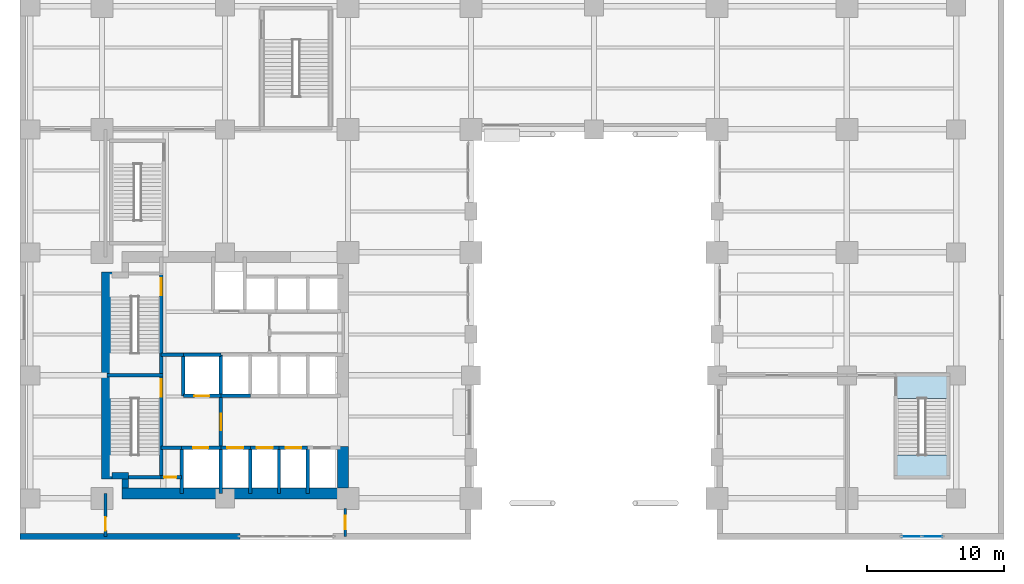
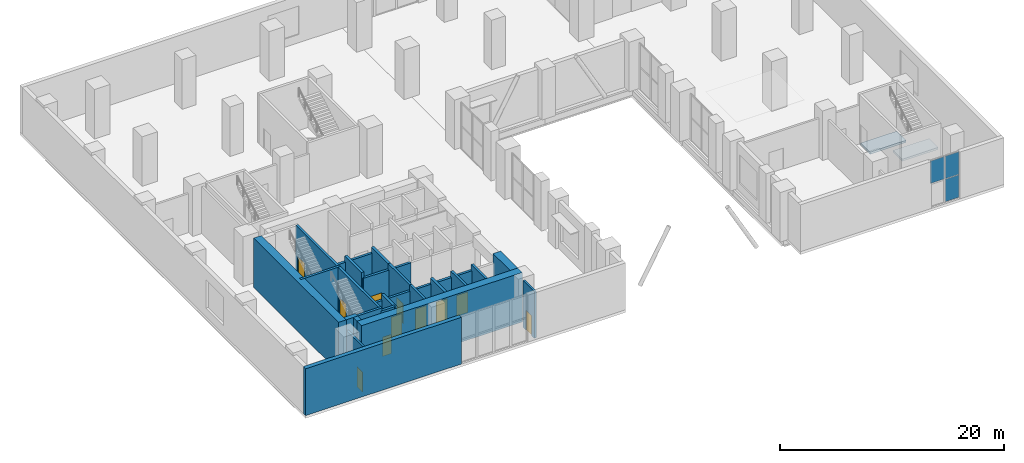
# One storey, part 15 of 20: 30 walls, 11 doors, 3 plates, 2 slabs, 11 openings, 2 elements without a shape of their own.
"""IFC4 building model written with IfcOpenShell, lengths in metres."""

import ifcopenshell
import ifcopenshell.guid

model = None  # the IFC model being written
_history = None  # IfcOwnerHistory: only IFC2X3 demands one
_inside = {}  # id of a spatial element -> (the spatial element, [elements in it])
_under = {}  # id of a project, library or spatial element -> (it, [spatial elements below it])
_declared = {}  # id of a project -> (the project, [libraries it declares])
_typed = {}  # id of a type object -> (the type object, [elements of that type])
_made_of = {}  # id of a material, layer set ... -> (it, [elements and type objects made of it])


def new_model(schema):
    """Start an empty IFC model of exactly this schema.

    Asked for "IFC4X3", IfcOpenShell would pick the latest addendum, in which some entities
    have other attributes; the version numbers below select the first issue.
    IFC2X3 requires an IfcOwnerHistory on every rooted entity: one is made here for all.
    """
    global model, _history
    if schema == "IFC4X3":
        model = ifcopenshell.file(schema_version=(4, 3, 0, 0))
    else:
        model = ifcopenshell.file(schema=schema)
    _inside.clear()
    _under.clear()
    _declared.clear()
    _typed.clear()
    _made_of.clear()
    _history = None
    if model.schema == "IFC2X3":
        org = make("IfcOrganization", Name="unknown")
        user = make(
            "IfcPersonAndOrganization",
            ThePerson=make("IfcPerson", FamilyName="unknown"),
            TheOrganization=org,
        )
        app = make(
            "IfcApplication",
            ApplicationDeveloper=org,
            Version="unknown",
            ApplicationFullName="unknown",
            ApplicationIdentifier="unknown",
        )
        _history = make(
            "IfcOwnerHistory",
            OwningUser=user,
            OwningApplication=app,
            ChangeAction="ADDED",
            CreationDate=0,
        )
    return model


def make(cls, **values):
    """One entity of the class cls with the attributes given. An attribute that is None is left unset."""
    return model.create_entity(
        cls, **{name: value for name, value in values.items() if value is not None}
    )


def rooted(cls, **values):
    """An entity with a GlobalId (a new one), such as an element, a storey or a relation."""
    return make(cls, GlobalId=ifcopenshell.guid.new(), OwnerHistory=_history, **values)


def si_unit(unit_type, name, prefix=None):
    """IfcSIUnit, for example si_unit("LENGTHUNIT", "METRE", prefix="MILLI")."""
    return make("IfcSIUnit", UnitType=unit_type, Prefix=prefix, Name=name)


def assignment(units):
    """IfcUnitAssignment: the units of a project."""
    return None if units is None else make("IfcUnitAssignment", Units=units)


def point(xyz):
    """IfcCartesianPoint."""
    return None if xyz is None else make("IfcCartesianPoint", Coordinates=xyz)


def direction(xyz):
    """IfcDirection."""
    return None if xyz is None else make("IfcDirection", DirectionRatios=xyz)


def frame(location, z_axis=None, x_axis=None):
    """IfcAxis2Placement3D, a coordinate frame: its origin and axes. An axis left out is left unset."""
    return make(
        "IfcAxis2Placement3D",
        Location=point(location),
        Axis=direction(z_axis),
        RefDirection=direction(x_axis),
    )


def frame_2d(location, x_axis=None):
    """IfcAxis2Placement2D, a coordinate frame in the plane: its origin and x axis."""
    return make(
        "IfcAxis2Placement2D", Location=point(location), RefDirection=direction(x_axis)
    )


def origin():
    """The frame at (0, 0, 0) with its axes left unset."""
    return frame((0.0, 0.0, 0.0))


def origin_2d():
    """The frame at (0, 0) in the plane with its x axis left unset."""
    return frame_2d((0.0, 0.0))


def place(relative_to, where):
    """IfcLocalPlacement: puts the frame where relative to a parent placement (None: the world)."""
    return make(
        "IfcLocalPlacement", PlacementRelTo=relative_to, RelativePlacement=where
    )


def context(
    kind, dimensions, precision=None, world=None, true_north=None, identifier=None
):
    """IfcGeometricRepresentationContext, for example the 3D "Model" context."""
    return make(
        "IfcGeometricRepresentationContext",
        ContextIdentifier=identifier,
        ContextType=kind,
        CoordinateSpaceDimension=dimensions,
        Precision=precision,
        WorldCoordinateSystem=world,
        TrueNorth=true_north,
    )


def subcontext(parent, identifier, kind, view, scale=None):
    """IfcGeometricRepresentationSubContext, for example "Body" below "Model"."""
    return make(
        "IfcGeometricRepresentationSubContext",
        ContextIdentifier=identifier,
        ContextType=kind,
        ParentContext=parent,
        TargetScale=scale,
        TargetView=view,
    )


def project(units=None, contexts=None):
    """IfcProject with its units and contexts."""
    return rooted(
        "IfcProject",
        Name="project",
        RepresentationContexts=contexts,
        UnitsInContext=assignment(units),
    )


def spatial(cls, under=None, at=None, **own):
    """A site, building, storey or space (cls), placed at a placement, below another one or the project."""
    s = rooted(cls, ObjectPlacement=at, **own)
    if under is not None:
        _under.setdefault(under.id(), (under, []))[1].append(s)
    return s


def polyline(points):
    """IfcPolyline through the points."""
    return make("IfcPolyline", Points=[point(p) for p in points])


def profile(cls, at=None, kind="AREA", **sizes):
    """A parametric profile (cls). Its sizes go by their IFC names, for example OverallWidth=200.0."""
    return make(cls, ProfileType=kind, Position=at, **sizes)


def rectangle(**sizes):
    """IfcRectangleProfileDef."""
    return profile("IfcRectangleProfileDef", **sizes)


def outline(outer, holes=None, kind="AREA"):
    """IfcArbitraryClosedProfileDef: a profile drawn as a closed curve; with holes, ...WithVoids."""
    if holes is None:
        return make("IfcArbitraryClosedProfileDef", ProfileType=kind, OuterCurve=outer)
    return make(
        "IfcArbitraryProfileDefWithVoids",
        ProfileType=kind,
        OuterCurve=outer,
        InnerCurves=holes,
    )


def extrude(swept, where, along, depth):
    """IfcExtrudedAreaSolid: the profile swept, set in the frame where, extruded along a direction by depth."""
    return make(
        "IfcExtrudedAreaSolid",
        SweptArea=swept,
        Position=where,
        ExtrudedDirection=direction(along),
        Depth=depth,
    )


def shape(context_of_items, identifier, shape_type, items):
    """IfcShapeRepresentation: the items that make up one representation, for example the "Body"."""
    return make(
        "IfcShapeRepresentation",
        ContextOfItems=context_of_items,
        RepresentationIdentifier=identifier,
        RepresentationType=shape_type,
        Items=items,
    )


def material(Name=None, Category=None):
    """IfcMaterial."""
    return make("IfcMaterial", Name=Name, Category=Category)


def layer(
    of_material, thickness, ventilated=None, Name=None, Category=None, Priority=None
):
    """IfcMaterialLayer: one layer of a wall or slab, of a material (None: an air gap)."""
    return make(
        "IfcMaterialLayer",
        Material=of_material,
        LayerThickness=thickness,
        IsVentilated=ventilated,
        Name=Name,
        Category=Category,
        Priority=Priority,
    )


def layer_set(layers, Name=None):
    """IfcMaterialLayerSet."""
    return make("IfcMaterialLayerSet", MaterialLayers=layers, LayerSetName=Name)


def made_of(thing, what):
    """Note that an element or type object is made of a material, layer set ...; save() writes the relation."""
    if what is not None:
        _made_of.setdefault(what.id(), (what, []))[1].append(thing)
    return thing


def type_object(cls, material=None, **own):
    """A type object (cls), such as IfcWallType, which elements share."""
    return made_of(rooted(cls, **own), material)


def element(
    cls,
    number,
    at=None,
    inside=None,
    cuts=None,
    type_object=None,
    material=None,
    context=None,
    identifier="Body",
    shape_type=None,
    held_by="IfcProductDefinitionShape",
    body=None,
    shapes=None,
    **own,
):
    """One element of the class cls, such as IfcWall. Its Tag is "e" and its number.

    at: its placement. inside: the storey or other place that contains it. cuts: it is an
    opening in that element (IfcRelVoidsElement). A single representation is given by context,
    identifier, shape_type and body (its items); several are given by shapes. held_by: the class
    of the entity that holds the representations. save() writes the other relations.
    """
    e = rooted(cls, Tag="e%d" % number, ObjectPlacement=at, **own)
    if body is not None:
        shapes = [shape(context, identifier, shape_type, body)]
    if shapes is not None:
        e.Representation = make(held_by, Representations=shapes)
    if inside is not None:
        _inside.setdefault(inside.id(), (inside, []))[1].append(e)
    if cuts is not None:
        rooted(
            "IfcRelVoidsElement", RelatingBuildingElement=cuts, RelatedOpeningElement=e
        )
    if type_object is not None:
        _typed.setdefault(type_object.id(), (type_object, []))[1].append(e)
    return made_of(e, material)


def fill(opening, filler):
    """IfcRelFillsElement: the door or window that sits in an opening."""
    return rooted(
        "IfcRelFillsElement",
        RelatingOpeningElement=opening,
        RelatedBuildingElement=filler,
    )


def aggregate(whole, parts):
    """IfcRelAggregates: a whole, such as a stair, and the parts it consists of."""
    return rooted("IfcRelAggregates", RelatingObject=whole, RelatedObjects=parts)


def save(model, path):
    """Write the relations noted so far, then the file.

    IfcRelAggregates (storeys below a building ...), IfcRelContainedInSpatialStructure (elements
    in a storey), IfcRelDefinesByType, IfcRelAssociatesMaterial and IfcRelDeclares: one each for
    every whole, place, type object, material and project.
    """
    for whole, parts in _under.values():
        aggregate(whole, parts)
    for where, things in _inside.values():
        rooted(
            "IfcRelContainedInSpatialStructure",
            RelatedElements=things,
            RelatingStructure=where,
        )
    for kind, things in _typed.values():
        rooted("IfcRelDefinesByType", RelatedObjects=things, RelatingType=kind)
    for what, things in _made_of.values():
        rooted("IfcRelAssociatesMaterial", RelatedObjects=things, RelatingMaterial=what)
    for by, libraries in _declared.values():
        rooted("IfcRelDeclares", RelatingContext=by, RelatedDefinitions=libraries)
    model.write(path)


model = new_model("IFC4")

# Units and contexts
model_context = context("Model", 3, precision=1e-05, world=origin(), true_north=direction((0.0, 1.0)))
body_context = subcontext(model_context, "Body", "Model", "MODEL_VIEW")
ifc_project = project(units=[si_unit("LENGTHUNIT", "METRE"), si_unit("AREAUNIT", "SQUARE_METRE"), si_unit("VOLUMEUNIT", "CUBIC_METRE"), si_unit("PLANEANGLEUNIT", "RADIAN"), si_unit("MASSUNIT", "GRAM", prefix="KILO")], contexts=[model_context])

# Site, building, storey
site_placement = place(None, origin())
site = spatial("IfcSite", under=ifc_project, at=site_placement, CompositionType="ELEMENT")
building_placement = place(site_placement, origin())
building = spatial("IfcBuilding", under=site, at=building_placement, Name="Mawjdan Bourse Tower", CompositionType="ELEMENT")
storey_placement = place(building_placement, frame((0.0, 0.0, 5.39990234375)))
storey = spatial("IfcBuildingStorey", under=building, at=storey_placement, Name="L01", CompositionType="ELEMENT", Elevation=5.39990234375)

# Curtain wall, plates
ifc_material_1 = material(Name="Thermally Broken Aluminium and Solar Glass", Category="aluminium")
ifc_layer_1 = layer(ifc_material_1, 0.219970703125)
ifc_layer_set_1 = layer_set([ifc_layer_1], Name="Thermally Broken Aluminium and Solar Glass")
curtain_wall_type = type_object("IfcCurtainWallType", Name="CW-ENT", PredefinedType="USERDEFINED", material=ifc_layer_set_1)
curtain_wall_placement = place(storey_placement, origin())
curtain_wall = element("IfcCurtainWall", 1, at=curtain_wall_placement, inside=storey, type_object=curtain_wall_type, Name="L01 South-East Foyer Upper Curtain Wall", ObjectType="FOYER ENTRANCE CURTAIN WALL", PredefinedType="USERDEFINED")
ifc_material_2 = material(Name="Low-SHGC Clear Laminated Glass", Category="glass")
ifc_layer_2 = layer(ifc_material_2, 0.0380859375)
ifc_layer_set_2 = layer_set([ifc_layer_2], Name="Low-SHGC Clear Laminated Glass")
plate_type = type_object("IfcPlateType", Name="PNL-CW-ENT", PredefinedType="CURTAIN_PANEL", material=ifc_layer_set_2)
plate_1_placement = place(storey_placement, frame((65.24365234375, 0.2099609375, 2.580078125), z_axis=(0.0, 0.0, 1.0), x_axis=(1.0, 0.0, 0.0)))
plate_1 = element("IfcPlate", 2, at=plate_1_placement, type_object=plate_type, Name="CW-ENT-L01-ENT-SE panel 1.2", PredefinedType="CURTAIN_PANEL", context=body_context, shape_type="SweptSolid", body=[
    extrude(rectangle(XDim=1.4375, YDim=0.0380859375, at=origin_2d()), origin(), (0.0, 0.0, 1.0), 2.4599609375),
])
plate_2_placement = place(storey_placement, frame((66.75634765625, 0.2099609375, 0.06005859375), z_axis=(0.0, 0.0, 1.0), x_axis=(1.0, 0.0, 0.0)))
plate_2 = element("IfcPlate", 3, at=plate_2_placement, type_object=plate_type, Name="CW-ENT-L01-ENT-SE panel 2.1", PredefinedType="CURTAIN_PANEL", context=body_context, shape_type="SweptSolid", body=[
    extrude(rectangle(XDim=1.4375, YDim=0.0380859375, at=origin_2d()), origin(), (0.0, 0.0, 1.0), 2.4599609375),
])
plate_3_placement = place(storey_placement, frame((66.75634765625, 0.2099609375, 2.580078125), z_axis=(0.0, 0.0, 1.0), x_axis=(1.0, 0.0, 0.0)))
plate_3 = element("IfcPlate", 4, at=plate_3_placement, type_object=plate_type, Name="CW-ENT-L01-ENT-SE panel 2.2", PredefinedType="CURTAIN_PANEL", context=body_context, shape_type="SweptSolid", body=[
    extrude(rectangle(XDim=1.4375, YDim=0.0380859375, at=origin_2d()), origin(), (0.0, 0.0, 1.0), 2.4599609375),
])
aggregate(curtain_wall, [plate_1, plate_2, plate_3])

# Stair, slabs
ifc_material_3 = material(Name="Concrete C50/60", Category="concrete")
stair_type = type_object("IfcStairType", Name="STR-CORE-1500", PredefinedType="HALF_TURN_STAIR", material=ifc_material_3)
stair_placement = place(storey_placement, origin())
stair = element("IfcStair", 5, at=stair_placement, inside=storey, type_object=stair_type, Name="L01 Exit Stair 6 (East Podium Pier)", PredefinedType="HALF_TURN_STAIR")
ifc_layer_3 = layer(ifc_material_3, 0.22998046875)
ifc_layer_set_3 = layer_set([ifc_layer_3], Name="Concrete C50/60")
slab_type = type_object("IfcSlabType", Name="SL-LND-230", PredefinedType="LANDING", material=ifc_layer_set_3)
slab_1_placement = place(storey_placement, frame((0.0, 0.0, -0.22998046875)))
slab_1 = element("IfcSlab", 6, at=slab_1_placement, type_object=slab_type, Name="ST6-L01 landing 1", PredefinedType="LANDING", context=body_context, shape_type="SweptSolid", body=[
    extrude(outline(polyline([(64.139892578125, 10.31005859375), (67.860107421875, 10.31005859375), (67.860107421875, 11.969970703125), (64.139892578125, 11.969970703125), (64.139892578125, 10.31005859375)])), origin(), (0.0, 0.0, 1.0), 0.22998046875),
])
slab_2_placement = place(storey_placement, frame((0.0, 0.0, 2.47021484375)))
slab_2 = element("IfcSlab", 7, at=slab_2_placement, type_object=slab_type, Name="ST6-L01 landing 2", PredefinedType="LANDING", context=body_context, shape_type="SweptSolid", body=[
    extrude(outline(polyline([(64.139892578125, 4.590087890625), (67.860107421875, 4.590087890625), (67.860107421875, 6.18994140625), (64.139892578125, 6.18994140625), (64.139892578125, 4.590087890625)])), origin(), (0.0, 0.0, 1.0), 0.22998046875),
])
aggregate(stair, [slab_1, slab_2])

# Wall
ifc_material_4 = material(Name="Brick Masonry Buff", Category="masonry")
ifc_layer_4 = layer(ifc_material_4, 0.419921875)
ifc_layer_set_4 = layer_set([ifc_layer_4], Name="Brick Masonry Buff")
wall_type_1 = type_object("IfcWallType", Name="WL-BRK-BUFF-420", PredefinedType="STANDARD", material=ifc_layer_set_4)
wall_1_placement = place(storey_placement, frame((0.0, 0.2099609375, 0.0), z_axis=(0.0, 0.0, 1.0), x_axis=(1.0, 0.0, 0.0)))
element("IfcWall", 8, at=wall_1_placement, inside=storey, type_object=wall_type_1, Name="L01 Podium Brick Wall SW-1", PredefinedType="STANDARD", context=body_context, shape_type="SweptSolid", body=[
    extrude(rectangle(XDim=16.080078125, YDim=0.419921875, at=frame_2d((8.0400390625, 0.0))), origin(), (0.0, 0.0, 1.0), 5.10009765625),
])

# Wall, opening, door
ifc_material_5 = material(Name="Gypsum Fireboard Assembly")
ifc_layer_5 = layer(ifc_material_5, 0.199951171875)
ifc_layer_set_5 = layer_set([ifc_layer_5], Name="Gypsum Fireboard Assembly")
wall_type_2 = type_object("IfcWallType", Name="WL-CMP-200", PredefinedType="PARTITIONING", material=ifc_layer_set_5)
wall_2_placement = place(storey_placement, frame((6.25, 0.2099609375, 0.0), z_axis=(0.0, 0.0, 1.0), x_axis=(0.0, 1.0, 0.0)))
wall_2 = element("IfcWall", 9, at=wall_2_placement, inside=storey, type_object=wall_type_2, Name="L01 Bourse Operations South-East Wall", PredefinedType="PARTITIONING", context=body_context, shape_type="SweptSolid", body=[
    extrude(rectangle(XDim=3.14013671875, YDim=0.199951171875, at=frame_2d((1.570068359375, 0.0))), origin(), (0.0, 0.0, 1.0), 5.090087890625),
])
opening_1_placement = place(wall_2_placement, frame((0.419921875, 0.0, 0.0)))
opening_1 = element("IfcOpeningElement", 10, at=opening_1_placement, cuts=wall_2, Name="Opening D-L01-21", PredefinedType="OPENING", context=body_context, shape_type="SweptSolid", body=[
    extrude(rectangle(XDim=1.0, YDim=2.14990234375, at=frame_2d((0.5, 1.074951171875))), frame((0.0, 0.10986328125, 0.0), z_axis=(0.0, -1.0, 0.0), x_axis=(1.0, 0.0, 0.0)), (0.0, 0.0, 1.0), 0.219970703125),
])
ifc_material_6 = material(Name="Hardwood Acoustic Leaf", Category="wood")
door_type_1 = type_object("IfcDoorType", Name="DR-OFC-1000", OperationType="NOTDEFINED", PredefinedType="DOOR", material=ifc_material_6)
door_1_placement = place(opening_1_placement, origin())
door_1 = element("IfcDoor", 11, at=door_1_placement, inside=storey, type_object=door_type_1, Name="L01 Bourse Operations Suite Door D-L01-21", OperationType="SINGLE_SWING_RIGHT", OverallHeight=2.14990234375, OverallWidth=1.0, PredefinedType="DOOR", context=body_context, shape_type="SweptSolid", body=[
    extrude(rectangle(XDim=1.0, YDim=2.14990234375, at=frame_2d((0.5, 1.074951171875))), frame((0.0, 0.02490234375, 0.0), z_axis=(0.0, -1.0, 0.0), x_axis=(1.0, 0.0, 0.0)), (0.0, 0.0, 1.0), 0.050048828125),
])
fill(opening_1, door_1)

wall_3_placement = place(storey_placement, frame((23.800048828125, 0.2099609375, 0.0), z_axis=(0.0, 0.0, 1.0), x_axis=(0.0, 1.0, 0.0)))
wall_3 = element("IfcWall", 12, at=wall_3_placement, inside=storey, type_object=wall_type_2, Name="L01 South Exchange Promenade East Wall", PredefinedType="PARTITIONING", context=body_context, shape_type="SweptSolid", body=[
    extrude(rectangle(XDim=2.0400390625, YDim=0.199951171875, at=frame_2d((1.02001953125, 0.0))), origin(), (0.0, 0.0, 1.0), 5.090087890625),
])
opening_2_placement = place(wall_3_placement, frame((0.52001953125, 0.0, 0.0)))
opening_2 = element("IfcOpeningElement", 13, at=opening_2_placement, cuts=wall_3, Name="Opening D-L01-22", PredefinedType="OPENING", context=body_context, shape_type="SweptSolid", body=[
    extrude(rectangle(XDim=1.0, YDim=2.14990234375, at=frame_2d((0.5, 1.074951171875))), frame((0.0, 0.10986328125, 0.0), z_axis=(0.0, -1.0, 0.0), x_axis=(1.0, 0.0, 0.0)), (0.0, 0.0, 1.0), 0.219970703125),
])
door_2_placement = place(opening_2_placement, origin())
door_2 = element("IfcDoor", 14, at=door_2_placement, inside=storey, type_object=door_type_1, Name="L01 South Exchange Promenade Market Door D-L01-22", OperationType="SINGLE_SWING_LEFT", OverallHeight=2.14990234375, OverallWidth=1.0, PredefinedType="DOOR", context=body_context, shape_type="SweptSolid", body=[
    extrude(rectangle(XDim=1.0, YDim=2.14990234375, at=frame_2d((0.5, 1.074951171875))), frame((0.0, 0.02490234375, 0.0), z_axis=(0.0, -1.0, 0.0), x_axis=(1.0, 0.0, 0.0)), (0.0, 0.0, 1.0), 0.050048828125),
])
fill(opening_2, door_2)

# Walls
ifc_material_7 = material(Name="Concrete C60/75", Category="concrete")
ifc_layer_6 = layer(ifc_material_7, 0.449951171875)
ifc_layer_set_6 = layer_set([ifc_layer_6], Name="Concrete C60/75")
wall_type_3 = type_object("IfcWallType", Name="WL-CORE-450", PredefinedType="SHEAR", material=ifc_layer_set_6)
wall_4_placement = place(storey_placement, frame((6.75, 4.64990234375, 0.0), z_axis=(0.0, 0.0, 1.0), x_axis=(1.0, 0.0, 0.0)))
element("IfcWall", 15, at=wall_4_placement, inside=storey, type_object=wall_type_3, Name="L01 Rear Core Shear Wall SW-X", PredefinedType="SHEAR", context=body_context, shape_type="SweptSolid", body=[
    extrude(rectangle(XDim=1.175048828125, YDim=0.449951171875, at=frame_2d((0.58740234375, 0.0))), origin(), (0.0, 0.0, 1.0), 5.400146484375),
])
wall_5_placement = place(storey_placement, frame((7.699951171875, 3.75, 0.0), z_axis=(0.0, 0.0, 1.0), x_axis=(0.0, 1.0, 0.0)))
element("IfcWall", 16, at=wall_5_placement, inside=storey, type_object=wall_type_3, Name="L01 Rear Core Shear Wall SW-Y", PredefinedType="SHEAR", context=body_context, shape_type="SweptSolid", body=[
    extrude(rectangle(XDim=0.675048828125, YDim=0.449951171875, at=frame_2d((0.33740234375, 0.0))), origin(), (0.0, 0.0, 1.0), 5.400146484375),
])
ifc_material_8 = material(Name="Concrete C80/95", Category="concrete")
ifc_layer_7 = layer(ifc_material_8, 0.800048828125)
ifc_layer_set_7 = layer_set([ifc_layer_7], Name="Concrete C80/95")
wall_type_4 = type_object("IfcWallType", Name="WL-CORE-800", PredefinedType="SHEAR", material=ifc_layer_set_7)
wall_6_placement = place(storey_placement, frame((7.47509765625, 3.35009765625, 0.0), z_axis=(0.0, 0.0, 1.0), x_axis=(1.0, 0.0, 0.0)))
element("IfcWall", 17, at=wall_6_placement, inside=storey, type_object=wall_type_4, Name="L01 Rear Core Shear Wall S", PredefinedType="SHEAR", context=body_context, shape_type="SweptSolid", body=[
    extrude(rectangle(XDim=16.574951171875, YDim=0.800048828125, at=frame_2d((8.28759765625, 0.0))), origin(), (0.0, 0.0, 1.0), 5.400146484375),
])
wall_7_placement = place(storey_placement, frame((6.35009765625, 4.425048828125, 0.0), z_axis=(0.0, 0.0, 1.0), x_axis=(0.0, 1.0, 0.0)))
element("IfcWall", 18, at=wall_7_placement, inside=storey, type_object=wall_type_4, Name="L01 Rear Core Shear Wall W", PredefinedType="SHEAR", context=body_context, shape_type="SweptSolid", body=[
    extrude(rectangle(XDim=15.14990234375, YDim=0.800048828125, at=frame_2d((7.574951171875, 0.0))), origin(), (0.0, 0.0, 1.0), 5.400146484375),
])
wall_8_placement = place(storey_placement, frame((23.64990234375, 3.75, 0.0), z_axis=(0.0, 0.0, 1.0), x_axis=(0.0, 1.0, 0.0)))
element("IfcWall", 19, at=wall_8_placement, inside=storey, type_object=wall_type_4, Name="L01 Rear Core Shear Wall E1", PredefinedType="SHEAR", context=body_context, shape_type="SweptSolid", body=[
    extrude(rectangle(XDim=3.050048828125, YDim=0.800048828125, at=frame_2d((1.52490234375, 0.0))), origin(), (0.0, 0.0, 1.0), 5.400146484375),
])

# Wall, opening, door
ifc_layer_8 = layer(ifc_material_3, 0.25)
ifc_layer_set_8 = layer_set([ifc_layer_8], Name="Concrete C50/60")
wall_type_5 = type_object("IfcWallType", Name="WL-SHFT-250", PredefinedType="PARTITIONING", material=ifc_layer_set_8)
wall_9_placement = place(storey_placement, frame((10.330078125, 4.550048828125, 0.0), z_axis=(0.0, 0.0, 1.0), x_axis=(1.0, 0.0, 0.0)))
wall_9 = element("IfcWall", 20, at=wall_9_placement, inside=storey, type_object=wall_type_5, Name="L01 SW Riser North Wall", PredefinedType="PARTITIONING", context=body_context, shape_type="SweptSolid", body=[
    extrude(rectangle(XDim=1.489990234375, YDim=0.25, at=frame_2d((0.7451171875, 0.0))), origin(), (0.0, 0.0, 1.0), 5.090087890625),
])
opening_3_placement = place(wall_9_placement, frame((0.219970703125, 0.0, 0.0)))
opening_3 = element("IfcOpeningElement", 21, at=opening_3_placement, cuts=wall_9, Name="Opening RD-L01-03", PredefinedType="OPENING", context=body_context, shape_type="SweptSolid", body=[
    extrude(rectangle(XDim=0.89990234375, YDim=2.10009765625, at=frame_2d((0.449951171875, 1.050048828125))), frame((0.0, 0.135009765625, 0.0), z_axis=(0.0, -1.0, 0.0), x_axis=(1.0, 0.0, 0.0)), (0.0, 0.0, 1.0), 0.27001953125),
])
ifc_material_9 = material(Name="Fire-Rated Steel Access Leaf", Category="steel")
door_type_2 = type_object("IfcDoorType", Name="FD-RSR-0900", OperationType="NOTDEFINED", PredefinedType="TRAPDOOR", material=ifc_material_9)
door_3_placement = place(opening_3_placement, origin())
door_3 = element("IfcDoor", 22, at=door_3_placement, inside=storey, type_object=door_type_2, Name="L01 Electrical Riser Access Door RD-L01-03", OperationType="SINGLE_SWING_RIGHT", OverallHeight=2.10009765625, OverallWidth=0.89990234375, PredefinedType="TRAPDOOR", context=body_context, shape_type="SweptSolid", body=[
    extrude(rectangle(XDim=0.89990234375, YDim=2.10009765625, at=frame_2d((0.449951171875, 1.050048828125))), frame((0.0, 0.02490234375, 0.0), z_axis=(0.0, -1.0, 0.0), x_axis=(1.0, 0.0, 0.0)), (0.0, 0.0, 1.0), 0.050048828125),
])
fill(opening_3, door_3)

# Wall
wall_10_placement = place(storey_placement, frame((11.820068359375, 3.35009765625, 0.0), z_axis=(0.0, 0.0, 1.0), x_axis=(0.0, 1.0, 0.0)))
element("IfcWall", 23, at=wall_10_placement, inside=storey, type_object=wall_type_5, Name="L01 SW Riser & FFL01 West Wall", PredefinedType="PARTITIONING", context=body_context, shape_type="SweptSolid", body=[
    extrude(rectangle(XDim=3.349853515625, YDim=0.25, at=frame_2d((1.6748046875, 0.0))), origin(), (0.0, 0.0, 1.0), 5.090087890625),
])

# Wall, opening, door
wall_11_placement = place(storey_placement, frame((11.820068359375, 6.699951171875, 0.0), z_axis=(0.0, 0.0, 1.0), x_axis=(1.0, 0.0, 0.0)))
wall_11 = element("IfcWall", 24, at=wall_11_placement, inside=storey, type_object=wall_type_5, Name="L01 FFL-01 Front Shaft Wall", PredefinedType="PARTITIONING", context=body_context, shape_type="SweptSolid", body=[
    extrude(rectangle(XDim=2.8798828125, YDim=0.25, at=frame_2d((1.43994140625, 0.0))), origin(), (0.0, 0.0, 1.0), 4.47314453125),
])
opening_4_placement = place(wall_11_placement, frame((0.85009765625, 0.0, 0.0)))
opening_4 = element("IfcOpeningElement", 25, at=opening_4_placement, cuts=wall_11, Name="Opening LD-L01-05", PredefinedType="OPENING", context=body_context, shape_type="SweptSolid", body=[
    extrude(rectangle(XDim=1.10009765625, YDim=2.25, at=frame_2d((0.550048828125, 1.125))), frame((0.0, 0.135009765625, 0.0), z_axis=(0.0, -1.0, 0.0), x_axis=(1.0, 0.0, 0.0)), (0.0, 0.0, 1.0), 0.27001953125),
])
ifc_material_10 = material(Name="Brushed Stainless Steel", Category="steel")
door_type_3 = type_object("IfcDoorType", Name="LD-FFL-1100", OperationType="DOUBLE_DOOR_SLIDING", PredefinedType="DOOR", material=ifc_material_10)
door_4_placement = place(opening_4_placement, origin())
door_4 = element("IfcDoor", 26, at=door_4_placement, inside=storey, type_object=door_type_3, Name="L01 Firefighting Lift FFL-01 Landing Door LD-L01-05", OperationType="DOUBLE_DOOR_SLIDING", OverallHeight=2.25, OverallWidth=1.10009765625, PredefinedType="DOOR", context=body_context, shape_type="SweptSolid", body=[
    extrude(rectangle(XDim=1.10009765625, YDim=2.25, at=frame_2d((0.550048828125, 1.125))), frame((0.0, 0.02490234375, 0.0), z_axis=(0.0, -1.0, 0.0), x_axis=(1.0, 0.0, 0.0)), (0.0, 0.0, 1.0), 0.050048828125),
])
fill(opening_4, door_4)

# Wall
wall_12_placement = place(storey_placement, frame((14.699951171875, 3.35009765625, 0.0), z_axis=(0.0, 0.0, 1.0), x_axis=(0.0, 1.0, 0.0)))
element("IfcWall", 27, at=wall_12_placement, inside=storey, type_object=wall_type_5, Name="L01 FFL-01 East Shaft Wall", PredefinedType="PARTITIONING", context=body_context, shape_type="SweptSolid", body=[
    extrude(rectangle(XDim=3.349853515625, YDim=0.25, at=frame_2d((1.6748046875, 0.0))), origin(), (0.0, 0.0, 1.0), 5.090087890625),
])

# Wall, opening, door
wall_13_placement = place(storey_placement, frame((11.949951171875, 10.5, 0.0), z_axis=(0.0, 0.0, 1.0), x_axis=(1.0, 0.0, 0.0)))
wall_13 = element("IfcWall", 28, at=wall_13_placement, inside=storey, type_object=wall_type_5, Name="L01 FFL-02 Front Shaft Wall", PredefinedType="PARTITIONING", context=body_context, shape_type="SweptSolid", body=[
    extrude(rectangle(XDim=2.75, YDim=0.25, at=frame_2d((1.375, 0.0))), origin(), (0.0, 0.0, 1.0), 4.47314453125),
])
opening_5_placement = place(wall_13_placement, frame((0.800048828125, 0.0, 0.0)))
opening_5 = element("IfcOpeningElement", 29, at=opening_5_placement, cuts=wall_13, Name="Opening LD-L01-06", PredefinedType="OPENING", context=body_context, shape_type="SweptSolid", body=[
    extrude(rectangle(XDim=1.10009765625, YDim=2.25, at=frame_2d((0.550048828125, 1.125))), frame((0.0, 0.135009765625, 0.0), z_axis=(0.0, -1.0, 0.0), x_axis=(1.0, 0.0, 0.0)), (0.0, 0.0, 1.0), 0.27001953125),
])
door_5_placement = place(opening_5_placement, origin())
door_5 = element("IfcDoor", 30, at=door_5_placement, inside=storey, type_object=door_type_3, Name="L01 Firefighting Lift FFL-02 Landing Door LD-L01-06", OperationType="DOUBLE_DOOR_SLIDING", OverallHeight=2.25, OverallWidth=1.10009765625, PredefinedType="DOOR", context=body_context, shape_type="SweptSolid", body=[
    extrude(rectangle(XDim=1.10009765625, YDim=2.25, at=frame_2d((0.550048828125, 1.125))), frame((0.0, 0.02490234375, 0.0), z_axis=(0.0, -1.0, 0.0), x_axis=(1.0, 0.0, 0.0)), (0.0, 0.0, 1.0), 0.050048828125),
])
fill(opening_5, door_5)

# Walls
wall_14_placement = place(storey_placement, frame((11.949951171875, 10.5, 0.0), z_axis=(0.0, 0.0, 1.0), x_axis=(0.0, 1.0, 0.0)))
element("IfcWall", 31, at=wall_14_placement, inside=storey, type_object=wall_type_5, Name="L01 FFL-02 West Shaft Wall", PredefinedType="PARTITIONING", context=body_context, shape_type="SweptSolid", body=[
    extrude(rectangle(XDim=3.0, YDim=0.25, at=frame_2d((1.5, 0.0))), origin(), (0.0, 0.0, 1.0), 5.090087890625),
])
wall_15_placement = place(storey_placement, frame((11.949951171875, 13.5, 0.0), z_axis=(0.0, 0.0, 1.0), x_axis=(1.0, 0.0, 0.0)))
element("IfcWall", 32, at=wall_15_placement, inside=storey, type_object=wall_type_5, Name="L01 FFL-02 North Shaft Wall", PredefinedType="PARTITIONING", context=body_context, shape_type="SweptSolid", body=[
    extrude(rectangle(XDim=2.75, YDim=0.25, at=frame_2d((1.375, 0.0))), origin(), (0.0, 0.0, 1.0), 4.47314453125),
])
wall_16_placement = place(storey_placement, frame((14.699951171875, 10.5, 0.0), z_axis=(0.0, 0.0, 1.0), x_axis=(0.0, 1.0, 0.0)))
element("IfcWall", 33, at=wall_16_placement, inside=storey, type_object=wall_type_5, Name="L01 FFL-02 East Shaft Wall", PredefinedType="PARTITIONING", context=body_context, shape_type="SweptSolid", body=[
    extrude(rectangle(XDim=3.0, YDim=0.25, at=frame_2d((1.5, 0.0))), origin(), (0.0, 0.0, 1.0), 5.090087890625),
])

# Wall, opening, door
wall_17_placement = place(storey_placement, frame((14.699951171875, 6.699951171875, 0.0), z_axis=(0.0, 0.0, 1.0), x_axis=(0.0, 1.0, 0.0)))
wall_17 = element("IfcWall", 34, at=wall_17_placement, inside=storey, type_object=wall_type_5, Name="L01 Firefighting Lobby East Compartment Wall", PredefinedType="PARTITIONING", context=body_context, shape_type="SweptSolid", body=[
    extrude(rectangle(XDim=3.800048828125, YDim=0.25, at=frame_2d((1.89990234375, 0.0))), origin(), (0.0, 0.0, 1.0), 5.090087890625),
])
opening_6_placement = place(wall_17_placement, frame((1.300048828125, 0.0, 0.0)))
opening_6 = element("IfcOpeningElement", 35, at=opening_6_placement, cuts=wall_17, Name="Opening FD-L01-07", PredefinedType="OPENING", context=body_context, shape_type="SweptSolid", body=[
    extrude(rectangle(XDim=1.199951171875, YDim=2.199951171875, at=frame_2d((0.60009765625, 1.10009765625))), frame((0.0, 0.135009765625, 0.0), z_axis=(0.0, -1.0, 0.0), x_axis=(1.0, 0.0, 0.0)), (0.0, 0.0, 1.0), 0.27001953125),
])
ifc_material_11 = material(Name="Fire-Rated Steel Leaf", Category="steel")
door_type_4 = type_object("IfcDoorType", Name="FD-FFL-1200", OperationType="NOTDEFINED", PredefinedType="DOOR", material=ifc_material_11)
door_6_placement = place(opening_6_placement, origin())
door_6 = element("IfcDoor", 36, at=door_6_placement, inside=storey, type_object=door_type_4, Name="L01 Firefighting Lobby East Smoke Door FD-L01-07", OperationType="SINGLE_SWING_RIGHT", OverallHeight=2.199951171875, OverallWidth=1.199951171875, PredefinedType="DOOR", context=body_context, shape_type="SweptSolid", body=[
    extrude(rectangle(XDim=1.199951171875, YDim=2.199951171875, at=frame_2d((0.60009765625, 1.10009765625))), frame((0.0, 0.02490234375, 0.0), z_axis=(0.0, -1.0, 0.0), x_axis=(1.0, 0.0, 0.0)), (0.0, 0.0, 1.0), 0.050048828125),
])
fill(opening_6, door_6)

# Walls
wall_18_placement = place(storey_placement, frame((10.330078125, 13.5, 0.0), z_axis=(0.0, 0.0, 1.0), x_axis=(1.0, 0.0, 0.0)))
element("IfcWall", 37, at=wall_18_placement, inside=storey, type_object=wall_type_5, Name="L01 Firefighting Lobby North Compartment Wall", PredefinedType="PARTITIONING", context=body_context, shape_type="SweptSolid", body=[
    extrude(rectangle(XDim=1.619873046875, YDim=0.25, at=frame_2d((0.81005859375, 0.0))), origin(), (0.0, 0.0, 1.0), 4.47314453125),
])
wall_19_placement = place(storey_placement, frame((10.330078125, 6.699951171875, 0.0), z_axis=(0.0, 0.0, 1.0), x_axis=(1.0, 0.0, 0.0)))
element("IfcWall", 38, at=wall_19_placement, inside=storey, type_object=wall_type_5, Name="L01 Firefighting Lobby South Closure Wall", PredefinedType="PARTITIONING", context=body_context, shape_type="SweptSolid", body=[
    extrude(rectangle(XDim=1.489990234375, YDim=0.25, at=frame_2d((0.7451171875, 0.0))), origin(), (0.0, 0.0, 1.0), 4.47314453125),
])

# Wall, opening, door
wall_20_placement = place(storey_placement, frame((14.699951171875, 6.699951171875, 0.0), z_axis=(0.0, 0.0, 1.0), x_axis=(1.0, 0.0, 0.0)))
wall_20 = element("IfcWall", 39, at=wall_20_placement, inside=storey, type_object=wall_type_5, Name="L01 PL-04 Front Wall", PredefinedType="PARTITIONING", context=body_context, shape_type="SweptSolid", body=[
    extrude(rectangle(XDim=2.150146484375, YDim=0.25, at=frame_2d((1.0751953125, 0.0))), origin(), (0.0, 0.0, 1.0), 4.47314453125),
])
opening_7_placement = place(wall_20_placement, frame((0.47998046875, 0.0, 0.0)))
opening_7 = element("IfcOpeningElement", 40, at=opening_7_placement, cuts=wall_20, Name="Opening LD-L01-10", PredefinedType="OPENING", context=body_context, shape_type="SweptSolid", body=[
    extrude(rectangle(XDim=1.14990234375, YDim=2.25, at=frame_2d((0.574951171875, 1.125))), frame((0.0, 0.135009765625, 0.0), z_axis=(0.0, -1.0, 0.0), x_axis=(1.0, 0.0, 0.0)), (0.0, 0.0, 1.0), 0.27001953125),
])
door_type_5 = type_object("IfcDoorType", Name="LD-PAS-1150", OperationType="DOUBLE_DOOR_SLIDING", PredefinedType="DOOR", material=ifc_material_10)
door_7_placement = place(opening_7_placement, origin())
door_7 = element("IfcDoor", 41, at=door_7_placement, inside=storey, type_object=door_type_5, Name="L01 Lift PL-04 Landing Door LD-L01-10", OperationType="DOUBLE_DOOR_SLIDING", OverallHeight=2.25, OverallWidth=1.14990234375, PredefinedType="DOOR", context=body_context, shape_type="SweptSolid", body=[
    extrude(rectangle(XDim=1.14990234375, YDim=2.25, at=frame_2d((0.574951171875, 1.125))), frame((0.0, 0.02490234375, 0.0), z_axis=(0.0, -1.0, 0.0), x_axis=(1.0, 0.0, 0.0)), (0.0, 0.0, 1.0), 0.050048828125),
])
fill(opening_7, door_7)

# Wall
wall_21_placement = place(storey_placement, frame((16.85009765625, 3.35009765625, 0.0), z_axis=(0.0, 0.0, 1.0), x_axis=(0.0, 1.0, 0.0)))
element("IfcWall", 42, at=wall_21_placement, inside=storey, type_object=wall_type_5, Name="L01 PL-04 Divider Wall", PredefinedType="PARTITIONING", context=body_context, shape_type="SweptSolid", body=[
    extrude(rectangle(XDim=3.349853515625, YDim=0.25, at=frame_2d((1.6748046875, 0.0))), origin(), (0.0, 0.0, 1.0), 5.090087890625),
])

# Wall, opening, door
wall_22_placement = place(storey_placement, frame((16.85009765625, 6.699951171875, 0.0), z_axis=(0.0, 0.0, 1.0), x_axis=(1.0, 0.0, 0.0)))
wall_22 = element("IfcWall", 43, at=wall_22_placement, inside=storey, type_object=wall_type_5, Name="L01 PL-01 Front Wall", PredefinedType="PARTITIONING", context=body_context, shape_type="SweptSolid", body=[
    extrude(rectangle(XDim=2.099853515625, YDim=0.25, at=frame_2d((1.0498046875, 0.0))), origin(), (0.0, 0.0, 1.0), 4.47314453125),
])
opening_8_placement = place(wall_22_placement, frame((0.47998046875, 0.0, 0.0)))
opening_8 = element("IfcOpeningElement", 44, at=opening_8_placement, cuts=wall_22, Name="Opening LD-L01-11", PredefinedType="OPENING", context=body_context, shape_type="SweptSolid", body=[
    extrude(rectangle(XDim=1.14990234375, YDim=2.25, at=frame_2d((0.574951171875, 1.125))), frame((0.0, 0.135009765625, 0.0), z_axis=(0.0, -1.0, 0.0), x_axis=(1.0, 0.0, 0.0)), (0.0, 0.0, 1.0), 0.27001953125),
])
door_8_placement = place(opening_8_placement, origin())
door_8 = element("IfcDoor", 45, at=door_8_placement, inside=storey, type_object=door_type_5, Name="L01 Lift PL-01 Landing Door LD-L01-11", OperationType="DOUBLE_DOOR_SLIDING", OverallHeight=2.25, OverallWidth=1.14990234375, PredefinedType="DOOR", context=body_context, shape_type="SweptSolid", body=[
    extrude(rectangle(XDim=1.14990234375, YDim=2.25, at=frame_2d((0.574951171875, 1.125))), frame((0.0, 0.02490234375, 0.0), z_axis=(0.0, -1.0, 0.0), x_axis=(1.0, 0.0, 0.0)), (0.0, 0.0, 1.0), 0.050048828125),
])
fill(opening_8, door_8)

# Wall
wall_23_placement = place(storey_placement, frame((18.949951171875, 3.35009765625, 0.0), z_axis=(0.0, 0.0, 1.0), x_axis=(0.0, 1.0, 0.0)))
element("IfcWall", 46, at=wall_23_placement, inside=storey, type_object=wall_type_5, Name="L01 PL-01 Divider Wall", PredefinedType="PARTITIONING", context=body_context, shape_type="SweptSolid", body=[
    extrude(rectangle(XDim=3.349853515625, YDim=0.25, at=frame_2d((1.6748046875, 0.0))), origin(), (0.0, 0.0, 1.0), 5.090087890625),
])

# Wall, opening, door
wall_24_placement = place(storey_placement, frame((18.949951171875, 6.699951171875, 0.0), z_axis=(0.0, 0.0, 1.0), x_axis=(1.0, 0.0, 0.0)))
wall_24 = element("IfcWall", 47, at=wall_24_placement, inside=storey, type_object=wall_type_5, Name="L01 PL-02 Front Wall", PredefinedType="PARTITIONING", context=body_context, shape_type="SweptSolid", body=[
    extrude(rectangle(XDim=2.10009765625, YDim=0.25, at=frame_2d((1.050048828125, 0.0))), origin(), (0.0, 0.0, 1.0), 4.47314453125),
])
opening_9_placement = place(wall_24_placement, frame((0.47998046875, 0.0, 0.0)))
opening_9 = element("IfcOpeningElement", 48, at=opening_9_placement, cuts=wall_24, Name="Opening LD-L01-12", PredefinedType="OPENING", context=body_context, shape_type="SweptSolid", body=[
    extrude(rectangle(XDim=1.14990234375, YDim=2.25, at=frame_2d((0.574951171875, 1.125))), frame((0.0, 0.135009765625, 0.0), z_axis=(0.0, -1.0, 0.0), x_axis=(1.0, 0.0, 0.0)), (0.0, 0.0, 1.0), 0.27001953125),
])
door_9_placement = place(opening_9_placement, origin())
door_9 = element("IfcDoor", 49, at=door_9_placement, inside=storey, type_object=door_type_5, Name="L01 Lift PL-02 Landing Door LD-L01-12", OperationType="DOUBLE_DOOR_SLIDING", OverallHeight=2.25, OverallWidth=1.14990234375, PredefinedType="DOOR", context=body_context, shape_type="SweptSolid", body=[
    extrude(rectangle(XDim=1.14990234375, YDim=2.25, at=frame_2d((0.574951171875, 1.125))), frame((0.0, 0.02490234375, 0.0), z_axis=(0.0, -1.0, 0.0), x_axis=(1.0, 0.0, 0.0)), (0.0, 0.0, 1.0), 0.050048828125),
])
fill(opening_9, door_9)

# Walls
wall_25_placement = place(storey_placement, frame((21.050048828125, 3.35009765625, 0.0), z_axis=(0.0, 0.0, 1.0), x_axis=(0.0, 1.0, 0.0)))
element("IfcWall", 50, at=wall_25_placement, inside=storey, type_object=wall_type_5, Name="L01 PL-02 Divider Wall", PredefinedType="PARTITIONING", context=body_context, shape_type="SweptSolid", body=[
    extrude(rectangle(XDim=3.349853515625, YDim=0.25, at=frame_2d((1.6748046875, 0.0))), origin(), (0.0, 0.0, 1.0), 5.090087890625),
])
wall_26_placement = place(storey_placement, frame((14.699951171875, 10.5, 0.0), z_axis=(0.0, 0.0, 1.0), x_axis=(1.0, 0.0, 0.0)))
element("IfcWall", 51, at=wall_26_placement, inside=storey, type_object=wall_type_5, Name="L01 PM-01 Front Wall", PredefinedType="PARTITIONING", context=body_context, shape_type="SweptSolid", body=[
    extrude(rectangle(XDim=2.150146484375, YDim=0.25, at=frame_2d((1.0751953125, 0.0))), origin(), (0.0, 0.0, 1.0), 4.47314453125),
])
ifc_layer_9 = layer(ifc_material_3, 0.25)
ifc_layer_set_9 = layer_set([ifc_layer_9], Name="Concrete C50/60")
wall_type_6 = type_object("IfcWallType", Name="WL-STRW-250", PredefinedType="SHEAR", material=ifc_layer_set_9)
wall_27_placement = place(storey_placement, frame((6.35009765625, 12.0, 0.0), z_axis=(0.0, 0.0, 1.0), x_axis=(1.0, 0.0, 0.0)))
element("IfcWall", 52, at=wall_27_placement, inside=storey, type_object=wall_type_6, Name="L01 Stairwell Dividing Shaft Wall", PredefinedType="SHEAR", context=body_context, shape_type="SweptSolid", body=[
    extrude(rectangle(XDim=4.10498046875, YDim=0.25, at=frame_2d((2.052490234375, 0.0))), origin(), (0.0, 0.0, 1.0), 5.400146484375),
])
wall_28_placement = place(storey_placement, frame((7.699951171875, 4.550048828125, 0.0), z_axis=(0.0, 0.0, 1.0), x_axis=(1.0, 0.0, 0.0)))
element("IfcWall", 53, at=wall_28_placement, inside=storey, type_object=wall_type_6, Name="L01 Stairwell ST1 South Shaft Wall", PredefinedType="SHEAR", context=body_context, shape_type="SweptSolid", body=[
    extrude(rectangle(XDim=2.755126953125, YDim=0.25, at=frame_2d((1.37744140625, 0.0))), origin(), (0.0, 0.0, 1.0), 5.400146484375),
])

# Wall, opening, door
wall_29_placement = place(storey_placement, frame((10.330078125, 4.550048828125, 0.0), z_axis=(0.0, 0.0, 1.0), x_axis=(0.0, 1.0, 0.0)))
wall_29 = element("IfcWall", 54, at=wall_29_placement, inside=storey, type_object=wall_type_6, Name="L01 Stairwell ST1 East Enclosure Wall", PredefinedType="SHEAR", context=body_context, shape_type="SweptSolid", body=[
    extrude(rectangle(XDim=7.449951171875, YDim=0.25, at=frame_2d((3.72509765625, 0.0))), origin(), (0.0, 0.0, 1.0), 5.400146484375),
])
opening_10_placement = place(wall_29_placement, frame((5.89990234375, 0.0, 0.0)))
opening_10 = element("IfcOpeningElement", 55, at=opening_10_placement, cuts=wall_29, Name="Opening SD-L01-01", PredefinedType="OPENING", context=body_context, shape_type="SweptSolid", body=[
    extrude(rectangle(XDim=1.25, YDim=2.199951171875, at=frame_2d((0.625, 1.10009765625))), frame((0.0, 0.135009765625, 0.0), z_axis=(0.0, -1.0, 0.0), x_axis=(1.0, 0.0, 0.0)), (0.0, 0.0, 1.0), 0.27001953125),
])
door_type_6 = type_object("IfcDoorType", Name="FD-ST-1250", OperationType="NOTDEFINED", PredefinedType="DOOR", material=ifc_material_11)
door_10_placement = place(opening_10_placement, origin())
door_10 = element("IfcDoor", 56, at=door_10_placement, inside=storey, type_object=door_type_6, Name="L01 Exit Stair ST1 Fire Door SD-L01-01", OperationType="SINGLE_SWING_RIGHT", OverallHeight=2.199951171875, OverallWidth=1.25, PredefinedType="DOOR", context=body_context, shape_type="SweptSolid", body=[
    extrude(rectangle(XDim=1.25, YDim=2.199951171875, at=frame_2d((0.625, 1.10009765625))), frame((0.0, 0.02490234375, 0.0), z_axis=(0.0, -1.0, 0.0), x_axis=(1.0, 0.0, 0.0)), (0.0, 0.0, 1.0), 0.050048828125),
])
fill(opening_10, door_10)

wall_30_placement = place(storey_placement, frame((10.330078125, 12.0, 0.0), z_axis=(0.0, 0.0, 1.0), x_axis=(0.0, 1.0, 0.0)))
wall_30 = element("IfcWall", 57, at=wall_30_placement, inside=storey, type_object=wall_type_6, Name="L01 Stairwell ST2 East Enclosure Wall", PredefinedType="SHEAR", context=body_context, shape_type="SweptSolid", body=[
    extrude(rectangle(XDim=7.449951171875, YDim=0.25, at=frame_2d((3.72509765625, 0.0))), origin(), (0.0, 0.0, 1.0), 5.400146484375),
])
opening_11_placement = place(wall_30_placement, frame((5.85009765625, 0.0, 0.0)))
opening_11 = element("IfcOpeningElement", 58, at=opening_11_placement, cuts=wall_30, Name="Opening SD-L01-02", PredefinedType="OPENING", context=body_context, shape_type="SweptSolid", body=[
    extrude(rectangle(XDim=1.25, YDim=2.199951171875, at=frame_2d((0.625, 1.10009765625))), frame((0.0, 0.135009765625, 0.0), z_axis=(0.0, -1.0, 0.0), x_axis=(1.0, 0.0, 0.0)), (0.0, 0.0, 1.0), 0.27001953125),
])
door_11_placement = place(opening_11_placement, origin())
door_11 = element("IfcDoor", 59, at=door_11_placement, inside=storey, type_object=door_type_6, Name="L01 Exit Stair ST2 Fire Door SD-L01-02", OperationType="SINGLE_SWING_LEFT", OverallHeight=2.199951171875, OverallWidth=1.25, PredefinedType="DOOR", context=body_context, shape_type="SweptSolid", body=[
    extrude(rectangle(XDim=1.25, YDim=2.199951171875, at=frame_2d((0.625, 1.10009765625))), frame((0.0, 0.02490234375, 0.0), z_axis=(0.0, -1.0, 0.0), x_axis=(1.0, 0.0, 0.0)), (0.0, 0.0, 1.0), 0.050048828125),
])
fill(opening_11, door_11)

save(model, "model.ifc")
